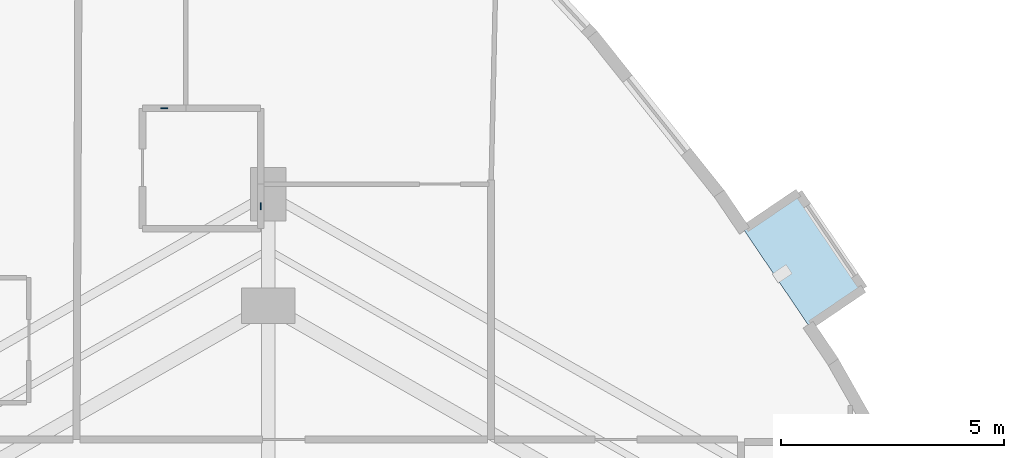
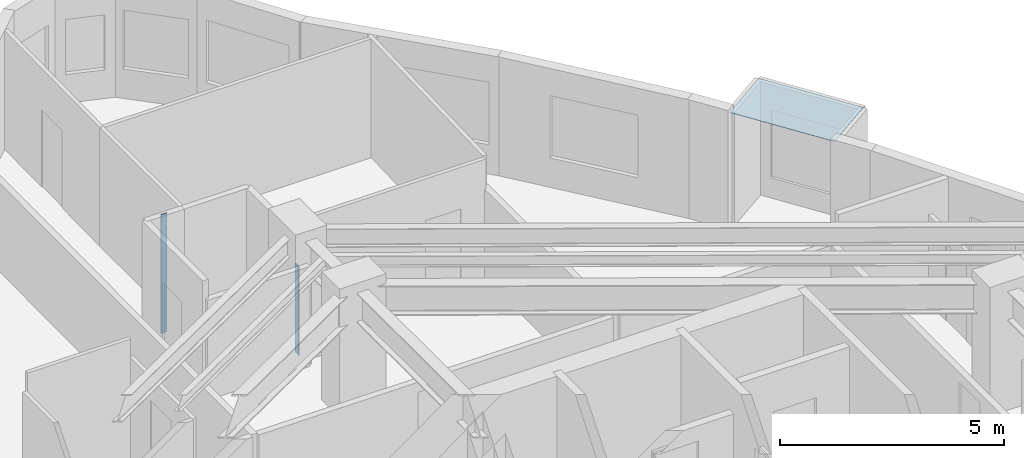
# One storey, part 3 of 10: 3 plates.
"""IFC4 building model written with IfcOpenShell, lengths in metres."""

import ifcopenshell
import ifcopenshell.guid

model = None  # the IFC model being written
_history = None  # IfcOwnerHistory: only IFC2X3 demands one
_inside = {}  # id of a spatial element -> (the spatial element, [elements in it])
_under = {}  # id of a project, library or spatial element -> (it, [spatial elements below it])
_declared = {}  # id of a project -> (the project, [libraries it declares])
_typed = {}  # id of a type object -> (the type object, [elements of that type])
_made_of = {}  # id of a material, layer set ... -> (it, [elements and type objects made of it])


def new_model(schema):
    """Start an empty IFC model of exactly this schema.

    Asked for "IFC4X3", IfcOpenShell would pick the latest addendum, in which some entities
    have other attributes; the version numbers below select the first issue.
    IFC2X3 requires an IfcOwnerHistory on every rooted entity: one is made here for all.
    """
    global model, _history
    if schema == "IFC4X3":
        model = ifcopenshell.file(schema_version=(4, 3, 0, 0))
    else:
        model = ifcopenshell.file(schema=schema)
    _inside.clear()
    _under.clear()
    _declared.clear()
    _typed.clear()
    _made_of.clear()
    _history = None
    if model.schema == "IFC2X3":
        org = make("IfcOrganization", Name="unknown")
        user = make(
            "IfcPersonAndOrganization",
            ThePerson=make("IfcPerson", FamilyName="unknown"),
            TheOrganization=org,
        )
        app = make(
            "IfcApplication",
            ApplicationDeveloper=org,
            Version="unknown",
            ApplicationFullName="unknown",
            ApplicationIdentifier="unknown",
        )
        _history = make(
            "IfcOwnerHistory",
            OwningUser=user,
            OwningApplication=app,
            ChangeAction="ADDED",
            CreationDate=0,
        )
    return model


def make(cls, **values):
    """One entity of the class cls with the attributes given. An attribute that is None is left unset."""
    return model.create_entity(
        cls, **{name: value for name, value in values.items() if value is not None}
    )


def rooted(cls, **values):
    """An entity with a GlobalId (a new one), such as an element, a storey or a relation."""
    return make(cls, GlobalId=ifcopenshell.guid.new(), OwnerHistory=_history, **values)


def si_unit(unit_type, name, prefix=None):
    """IfcSIUnit, for example si_unit("LENGTHUNIT", "METRE", prefix="MILLI")."""
    return make("IfcSIUnit", UnitType=unit_type, Prefix=prefix, Name=name)


def assignment(units):
    """IfcUnitAssignment: the units of a project."""
    return None if units is None else make("IfcUnitAssignment", Units=units)


def point(xyz):
    """IfcCartesianPoint."""
    return None if xyz is None else make("IfcCartesianPoint", Coordinates=xyz)


def direction(xyz):
    """IfcDirection."""
    return None if xyz is None else make("IfcDirection", DirectionRatios=xyz)


def frame(location, z_axis=None, x_axis=None):
    """IfcAxis2Placement3D, a coordinate frame: its origin and axes. An axis left out is left unset."""
    return make(
        "IfcAxis2Placement3D",
        Location=point(location),
        Axis=direction(z_axis),
        RefDirection=direction(x_axis),
    )


def frame_2d(location, x_axis=None):
    """IfcAxis2Placement2D, a coordinate frame in the plane: its origin and x axis."""
    return make(
        "IfcAxis2Placement2D", Location=point(location), RefDirection=direction(x_axis)
    )


def origin():
    """The frame at (0, 0, 0) with its axes left unset."""
    return frame((0.0, 0.0, 0.0))


def origin_2d():
    """The frame at (0, 0) in the plane with its x axis left unset."""
    return frame_2d((0.0, 0.0))


def place(relative_to, where):
    """IfcLocalPlacement: puts the frame where relative to a parent placement (None: the world)."""
    return make(
        "IfcLocalPlacement", PlacementRelTo=relative_to, RelativePlacement=where
    )


def context(
    kind, dimensions, precision=None, world=None, true_north=None, identifier=None
):
    """IfcGeometricRepresentationContext, for example the 3D "Model" context."""
    return make(
        "IfcGeometricRepresentationContext",
        ContextIdentifier=identifier,
        ContextType=kind,
        CoordinateSpaceDimension=dimensions,
        Precision=precision,
        WorldCoordinateSystem=world,
        TrueNorth=true_north,
    )


def subcontext(parent, identifier, kind, view, scale=None):
    """IfcGeometricRepresentationSubContext, for example "Body" below "Model"."""
    return make(
        "IfcGeometricRepresentationSubContext",
        ContextIdentifier=identifier,
        ContextType=kind,
        ParentContext=parent,
        TargetScale=scale,
        TargetView=view,
    )


def project(units=None, contexts=None):
    """IfcProject with its units and contexts."""
    return rooted(
        "IfcProject",
        Name="project",
        RepresentationContexts=contexts,
        UnitsInContext=assignment(units),
    )


def spatial(cls, under=None, at=None, **own):
    """A site, building, storey or space (cls), placed at a placement, below another one or the project."""
    s = rooted(cls, ObjectPlacement=at, **own)
    if under is not None:
        _under.setdefault(under.id(), (under, []))[1].append(s)
    return s


def polyline(points):
    """IfcPolyline through the points."""
    return make("IfcPolyline", Points=[point(p) for p in points])


def profile(cls, at=None, kind="AREA", **sizes):
    """A parametric profile (cls). Its sizes go by their IFC names, for example OverallWidth=200.0."""
    return make(cls, ProfileType=kind, Position=at, **sizes)


def rectangle(**sizes):
    """IfcRectangleProfileDef."""
    return profile("IfcRectangleProfileDef", **sizes)


def outline(outer, holes=None, kind="AREA"):
    """IfcArbitraryClosedProfileDef: a profile drawn as a closed curve; with holes, ...WithVoids."""
    if holes is None:
        return make("IfcArbitraryClosedProfileDef", ProfileType=kind, OuterCurve=outer)
    return make(
        "IfcArbitraryProfileDefWithVoids",
        ProfileType=kind,
        OuterCurve=outer,
        InnerCurves=holes,
    )


def extrude(swept, where, along, depth):
    """IfcExtrudedAreaSolid: the profile swept, set in the frame where, extruded along a direction by depth."""
    return make(
        "IfcExtrudedAreaSolid",
        SweptArea=swept,
        Position=where,
        ExtrudedDirection=direction(along),
        Depth=depth,
    )


def shape(context_of_items, identifier, shape_type, items):
    """IfcShapeRepresentation: the items that make up one representation, for example the "Body"."""
    return make(
        "IfcShapeRepresentation",
        ContextOfItems=context_of_items,
        RepresentationIdentifier=identifier,
        RepresentationType=shape_type,
        Items=items,
    )


def material(Name=None, Category=None):
    """IfcMaterial."""
    return make("IfcMaterial", Name=Name, Category=Category)


def layer(
    of_material, thickness, ventilated=None, Name=None, Category=None, Priority=None
):
    """IfcMaterialLayer: one layer of a wall or slab, of a material (None: an air gap)."""
    return make(
        "IfcMaterialLayer",
        Material=of_material,
        LayerThickness=thickness,
        IsVentilated=ventilated,
        Name=Name,
        Category=Category,
        Priority=Priority,
    )


def layer_set(layers, Name=None):
    """IfcMaterialLayerSet."""
    return make("IfcMaterialLayerSet", MaterialLayers=layers, LayerSetName=Name)


def made_of(thing, what):
    """Note that an element or type object is made of a material, layer set ...; save() writes the relation."""
    if what is not None:
        _made_of.setdefault(what.id(), (what, []))[1].append(thing)
    return thing


def type_object(cls, material=None, **own):
    """A type object (cls), such as IfcWallType, which elements share."""
    return made_of(rooted(cls, **own), material)


def element(
    cls,
    number,
    at=None,
    inside=None,
    cuts=None,
    type_object=None,
    material=None,
    context=None,
    identifier="Body",
    shape_type=None,
    held_by="IfcProductDefinitionShape",
    body=None,
    shapes=None,
    **own,
):
    """One element of the class cls, such as IfcWall. Its Tag is "e" and its number.

    at: its placement. inside: the storey or other place that contains it. cuts: it is an
    opening in that element (IfcRelVoidsElement). A single representation is given by context,
    identifier, shape_type and body (its items); several are given by shapes. held_by: the class
    of the entity that holds the representations. save() writes the other relations.
    """
    e = rooted(cls, Tag="e%d" % number, ObjectPlacement=at, **own)
    if body is not None:
        shapes = [shape(context, identifier, shape_type, body)]
    if shapes is not None:
        e.Representation = make(held_by, Representations=shapes)
    if inside is not None:
        _inside.setdefault(inside.id(), (inside, []))[1].append(e)
    if cuts is not None:
        rooted(
            "IfcRelVoidsElement", RelatingBuildingElement=cuts, RelatedOpeningElement=e
        )
    if type_object is not None:
        _typed.setdefault(type_object.id(), (type_object, []))[1].append(e)
    return made_of(e, material)


def aggregate(whole, parts):
    """IfcRelAggregates: a whole, such as a stair, and the parts it consists of."""
    return rooted("IfcRelAggregates", RelatingObject=whole, RelatedObjects=parts)


def save(model, path):
    """Write the relations noted so far, then the file.

    IfcRelAggregates (storeys below a building ...), IfcRelContainedInSpatialStructure (elements
    in a storey), IfcRelDefinesByType, IfcRelAssociatesMaterial and IfcRelDeclares: one each for
    every whole, place, type object, material and project.
    """
    for whole, parts in _under.values():
        aggregate(whole, parts)
    for where, things in _inside.values():
        rooted(
            "IfcRelContainedInSpatialStructure",
            RelatedElements=things,
            RelatingStructure=where,
        )
    for kind, things in _typed.values():
        rooted("IfcRelDefinesByType", RelatedObjects=things, RelatingType=kind)
    for what, things in _made_of.values():
        rooted("IfcRelAssociatesMaterial", RelatedObjects=things, RelatingMaterial=what)
    for by, libraries in _declared.values():
        rooted("IfcRelDeclares", RelatingContext=by, RelatedDefinitions=libraries)
    model.write(path)


model = new_model("IFC4")

# Units and contexts
model_context = context("Model", 3, precision=1e-05, world=origin(), true_north=direction((0.0, 1.0)))
body_context = subcontext(model_context, "Body", "Model", "MODEL_VIEW")
ifc_project = project(units=[si_unit("LENGTHUNIT", "METRE"), si_unit("AREAUNIT", "SQUARE_METRE"), si_unit("VOLUMEUNIT", "CUBIC_METRE"), si_unit("PLANEANGLEUNIT", "RADIAN"), si_unit("MASSUNIT", "GRAM", prefix="KILO")], contexts=[model_context])

# Site, building, storey
site_placement = place(None, origin())
site = spatial("IfcSite", under=ifc_project, at=site_placement, CompositionType="ELEMENT")
building_placement = place(site_placement, origin())
building = spatial("IfcBuilding", under=site, at=building_placement, Name="Miruveldt Soraemaru", CompositionType="ELEMENT")
storey_placement = place(building_placement, frame((0.0, 0.0, 124.89990234375)))
storey = spatial("IfcBuildingStorey", under=building, at=storey_placement, Name="L34", CompositionType="ELEMENT", Elevation=124.89990234375)

# Plates
ifc_material_1 = material(Name="Anodised aluminium EN AW-6063 T6", Category="aluminium")
ifc_layer_1 = layer(ifc_material_1, 0.02001953125, Name="Anodised aluminium EN AW-6063 T6", Category="aluminium")
ifc_layer_set_1 = layer_set([ifc_layer_1], Name="Anodised aluminium EN AW-6063 T6")
plate_type_1 = type_object("IfcPlateType", Name="PLT-PART-TRIM", PredefinedType="SHEET", material=ifc_layer_set_1)
plate_1_placement = place(storey_placement, frame((43.8330078125, 59.83056640625, 0.0), z_axis=(0.0, 0.0, 1.0), x_axis=(0.0, 1.0, 0.0)))
element("IfcPlate", 1, at=plate_1_placement, inside=storey, type_object=plate_type_1, Name="L34 Partition Step Corner Trim Plate 018", PredefinedType="SHEET", context=body_context, shape_type="SweptSolid", body=[
    extrude(rectangle(XDim=0.159912109375, YDim=0.02001953125, at=origin_2d()), origin(), (0.0, 0.0, 1.0), 2.423095703125),
])
plate_2_placement = place(storey_placement, frame((41.66796875, 62.030029296875, 0.0), z_axis=(0.0, 0.0, 1.0), x_axis=(-1.0, 0.0, 0.0)))
element("IfcPlate", 2, at=plate_2_placement, inside=storey, type_object=plate_type_1, Name="L34 Partition Step Corner Trim Plate 019", PredefinedType="SHEET", context=body_context, shape_type="SweptSolid", body=[
    extrude(rectangle(XDim=0.159912109375, YDim=0.02001953125, at=origin_2d()), origin(), (0.0, 0.0, 1.0), 3.235107421875),
])
ifc_material_2 = material(Name="Standing-seam titanium-zinc sheet", Category="aluminium")
ifc_layer_2 = layer(ifc_material_2, 0.011962890625, Name="Standing-seam titanium-zinc sheet", Category="aluminium")
ifc_layer_set_2 = layer_set([ifc_layer_2], Name="Standing-seam titanium-zinc sheet")
plate_type_2 = type_object("IfcPlateType", Name="PLT-ZINC-12", PredefinedType="SHEET", material=ifc_layer_set_2)
plate_3_placement = place(storey_placement, frame((0.0, 0.0, 3.085205078125)))
element("IfcPlate", 3, at=plate_3_placement, inside=storey, type_object=plate_type_2, Name="L34 Bay Window Zinc Hood Sheet 4", PredefinedType="SHEET", context=body_context, shape_type="SweptSolid", body=[
    extrude(outline(polyline([(56.123291015625, 57.15234375), (54.6650390625, 59.304931640625), (55.890380859375, 60.135009765625), (57.348388671875, 57.982421875), (56.123291015625, 57.15234375)])), origin(), (0.0, 0.0, 1.0), 0.011962890625),
])

save(model, "model.ifc")
